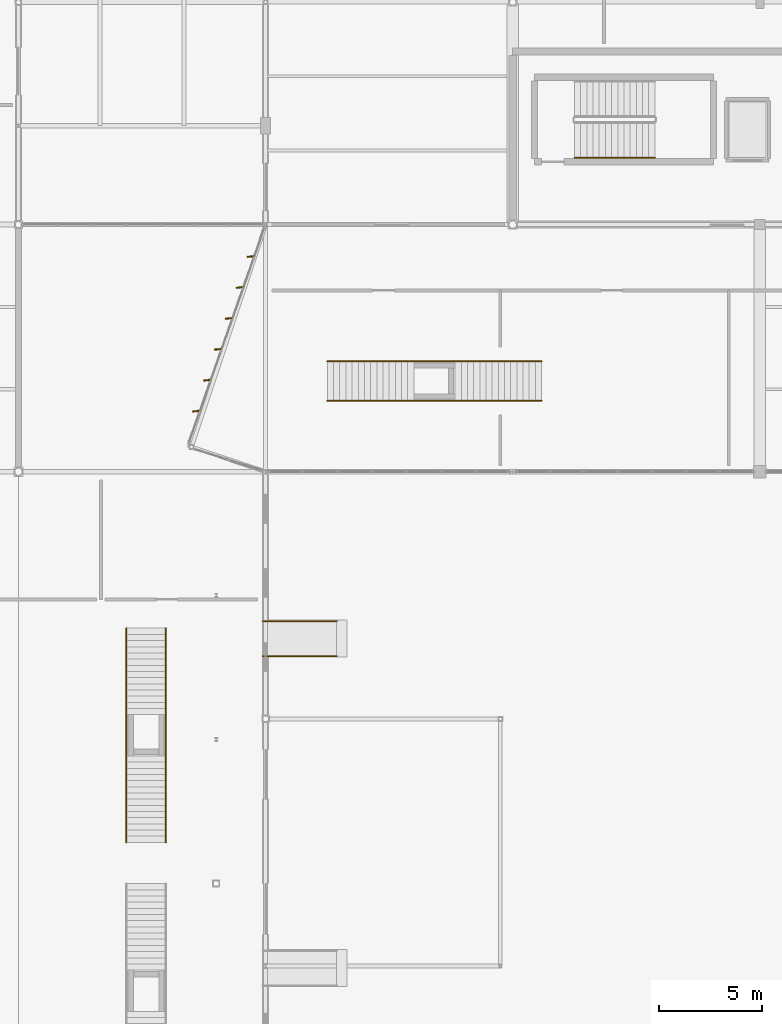
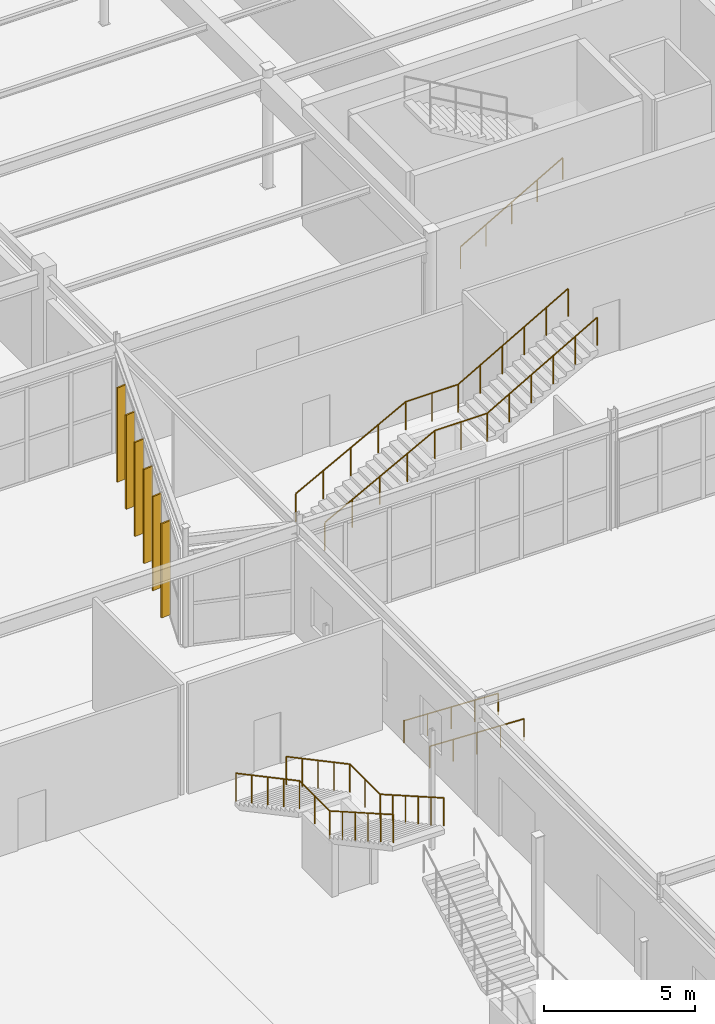
# One storey, part 192 of 199: 7 railings, 6 shading devices.
"""IFC4 building model written with IfcOpenShell, lengths in metres."""

import ifcopenshell
import ifcopenshell.guid

model = None  # the IFC model being written
_history = None  # IfcOwnerHistory: only IFC2X3 demands one
_inside = {}  # id of a spatial element -> (the spatial element, [elements in it])
_under = {}  # id of a project, library or spatial element -> (it, [spatial elements below it])
_declared = {}  # id of a project -> (the project, [libraries it declares])
_typed = {}  # id of a type object -> (the type object, [elements of that type])
_made_of = {}  # id of a material, layer set ... -> (it, [elements and type objects made of it])


def new_model(schema):
    """Start an empty IFC model of exactly this schema.

    Asked for "IFC4X3", IfcOpenShell would pick the latest addendum, in which some entities
    have other attributes; the version numbers below select the first issue.
    IFC2X3 requires an IfcOwnerHistory on every rooted entity: one is made here for all.
    """
    global model, _history
    if schema == "IFC4X3":
        model = ifcopenshell.file(schema_version=(4, 3, 0, 0))
    else:
        model = ifcopenshell.file(schema=schema)
    _inside.clear()
    _under.clear()
    _declared.clear()
    _typed.clear()
    _made_of.clear()
    _history = None
    if model.schema == "IFC2X3":
        org = make("IfcOrganization", Name="unknown")
        user = make(
            "IfcPersonAndOrganization",
            ThePerson=make("IfcPerson", FamilyName="unknown"),
            TheOrganization=org,
        )
        app = make(
            "IfcApplication",
            ApplicationDeveloper=org,
            Version="unknown",
            ApplicationFullName="unknown",
            ApplicationIdentifier="unknown",
        )
        _history = make(
            "IfcOwnerHistory",
            OwningUser=user,
            OwningApplication=app,
            ChangeAction="ADDED",
            CreationDate=0,
        )
    return model


def make(cls, **values):
    """One entity of the class cls with the attributes given. An attribute that is None is left unset."""
    return model.create_entity(
        cls, **{name: value for name, value in values.items() if value is not None}
    )


def rooted(cls, **values):
    """An entity with a GlobalId (a new one), such as an element, a storey or a relation."""
    return make(cls, GlobalId=ifcopenshell.guid.new(), OwnerHistory=_history, **values)


def si_unit(unit_type, name, prefix=None):
    """IfcSIUnit, for example si_unit("LENGTHUNIT", "METRE", prefix="MILLI")."""
    return make("IfcSIUnit", UnitType=unit_type, Prefix=prefix, Name=name)


def assignment(units):
    """IfcUnitAssignment: the units of a project."""
    return None if units is None else make("IfcUnitAssignment", Units=units)


def point(xyz):
    """IfcCartesianPoint."""
    return None if xyz is None else make("IfcCartesianPoint", Coordinates=xyz)


def direction(xyz):
    """IfcDirection."""
    return None if xyz is None else make("IfcDirection", DirectionRatios=xyz)


def frame(location, z_axis=None, x_axis=None):
    """IfcAxis2Placement3D, a coordinate frame: its origin and axes. An axis left out is left unset."""
    return make(
        "IfcAxis2Placement3D",
        Location=point(location),
        Axis=direction(z_axis),
        RefDirection=direction(x_axis),
    )


def frame_2d(location, x_axis=None):
    """IfcAxis2Placement2D, a coordinate frame in the plane: its origin and x axis."""
    return make(
        "IfcAxis2Placement2D", Location=point(location), RefDirection=direction(x_axis)
    )


def origin():
    """The frame at (0, 0, 0) with its axes left unset."""
    return frame((0.0, 0.0, 0.0))


def origin_2d():
    """The frame at (0, 0) in the plane with its x axis left unset."""
    return frame_2d((0.0, 0.0))


def place(relative_to, where):
    """IfcLocalPlacement: puts the frame where relative to a parent placement (None: the world)."""
    return make(
        "IfcLocalPlacement", PlacementRelTo=relative_to, RelativePlacement=where
    )


def context(
    kind, dimensions, precision=None, world=None, true_north=None, identifier=None
):
    """IfcGeometricRepresentationContext, for example the 3D "Model" context."""
    return make(
        "IfcGeometricRepresentationContext",
        ContextIdentifier=identifier,
        ContextType=kind,
        CoordinateSpaceDimension=dimensions,
        Precision=precision,
        WorldCoordinateSystem=world,
        TrueNorth=true_north,
    )


def subcontext(parent, identifier, kind, view, scale=None):
    """IfcGeometricRepresentationSubContext, for example "Body" below "Model"."""
    return make(
        "IfcGeometricRepresentationSubContext",
        ContextIdentifier=identifier,
        ContextType=kind,
        ParentContext=parent,
        TargetScale=scale,
        TargetView=view,
    )


def project(units=None, contexts=None):
    """IfcProject with its units and contexts."""
    return rooted(
        "IfcProject",
        Name="project",
        RepresentationContexts=contexts,
        UnitsInContext=assignment(units),
    )


def spatial(cls, under=None, at=None, **own):
    """A site, building, storey or space (cls), placed at a placement, below another one or the project."""
    s = rooted(cls, ObjectPlacement=at, **own)
    if under is not None:
        _under.setdefault(under.id(), (under, []))[1].append(s)
    return s


def profile(cls, at=None, kind="AREA", **sizes):
    """A parametric profile (cls). Its sizes go by their IFC names, for example OverallWidth=200.0."""
    return make(cls, ProfileType=kind, Position=at, **sizes)


def rectangle(**sizes):
    """IfcRectangleProfileDef."""
    return profile("IfcRectangleProfileDef", **sizes)


def circle(**sizes):
    """IfcCircleProfileDef."""
    return profile("IfcCircleProfileDef", **sizes)


def extrude(swept, where, along, depth):
    """IfcExtrudedAreaSolid: the profile swept, set in the frame where, extruded along a direction by depth."""
    return make(
        "IfcExtrudedAreaSolid",
        SweptArea=swept,
        Position=where,
        ExtrudedDirection=direction(along),
        Depth=depth,
    )


def shape(context_of_items, identifier, shape_type, items):
    """IfcShapeRepresentation: the items that make up one representation, for example the "Body"."""
    return make(
        "IfcShapeRepresentation",
        ContextOfItems=context_of_items,
        RepresentationIdentifier=identifier,
        RepresentationType=shape_type,
        Items=items,
    )


def material(Name=None, Category=None):
    """IfcMaterial."""
    return make("IfcMaterial", Name=Name, Category=Category)


def layer(
    of_material, thickness, ventilated=None, Name=None, Category=None, Priority=None
):
    """IfcMaterialLayer: one layer of a wall or slab, of a material (None: an air gap)."""
    return make(
        "IfcMaterialLayer",
        Material=of_material,
        LayerThickness=thickness,
        IsVentilated=ventilated,
        Name=Name,
        Category=Category,
        Priority=Priority,
    )


def layer_set(layers, Name=None):
    """IfcMaterialLayerSet."""
    return make("IfcMaterialLayerSet", MaterialLayers=layers, LayerSetName=Name)


def made_of(thing, what):
    """Note that an element or type object is made of a material, layer set ...; save() writes the relation."""
    if what is not None:
        _made_of.setdefault(what.id(), (what, []))[1].append(thing)
    return thing


def type_object(cls, material=None, **own):
    """A type object (cls), such as IfcWallType, which elements share."""
    return made_of(rooted(cls, **own), material)


def element(
    cls,
    number,
    at=None,
    inside=None,
    cuts=None,
    type_object=None,
    material=None,
    context=None,
    identifier="Body",
    shape_type=None,
    held_by="IfcProductDefinitionShape",
    body=None,
    shapes=None,
    **own,
):
    """One element of the class cls, such as IfcWall. Its Tag is "e" and its number.

    at: its placement. inside: the storey or other place that contains it. cuts: it is an
    opening in that element (IfcRelVoidsElement). A single representation is given by context,
    identifier, shape_type and body (its items); several are given by shapes. held_by: the class
    of the entity that holds the representations. save() writes the other relations.
    """
    e = rooted(cls, Tag="e%d" % number, ObjectPlacement=at, **own)
    if body is not None:
        shapes = [shape(context, identifier, shape_type, body)]
    if shapes is not None:
        e.Representation = make(held_by, Representations=shapes)
    if inside is not None:
        _inside.setdefault(inside.id(), (inside, []))[1].append(e)
    if cuts is not None:
        rooted(
            "IfcRelVoidsElement", RelatingBuildingElement=cuts, RelatedOpeningElement=e
        )
    if type_object is not None:
        _typed.setdefault(type_object.id(), (type_object, []))[1].append(e)
    return made_of(e, material)


def aggregate(whole, parts):
    """IfcRelAggregates: a whole, such as a stair, and the parts it consists of."""
    return rooted("IfcRelAggregates", RelatingObject=whole, RelatedObjects=parts)


def save(model, path):
    """Write the relations noted so far, then the file.

    IfcRelAggregates (storeys below a building ...), IfcRelContainedInSpatialStructure (elements
    in a storey), IfcRelDefinesByType, IfcRelAssociatesMaterial and IfcRelDeclares: one each for
    every whole, place, type object, material and project.
    """
    for whole, parts in _under.values():
        aggregate(whole, parts)
    for where, things in _inside.values():
        rooted(
            "IfcRelContainedInSpatialStructure",
            RelatedElements=things,
            RelatingStructure=where,
        )
    for kind, things in _typed.values():
        rooted("IfcRelDefinesByType", RelatedObjects=things, RelatingType=kind)
    for what, things in _made_of.values():
        rooted("IfcRelAssociatesMaterial", RelatedObjects=things, RelatingMaterial=what)
    for by, libraries in _declared.values():
        rooted("IfcRelDeclares", RelatingContext=by, RelatedDefinitions=libraries)
    model.write(path)


model = new_model("IFC4")

# Units and contexts
model_context = context("Model", 3, precision=1e-05, world=origin(), true_north=direction((0.0, 1.0)))
body_context = subcontext(model_context, "Body", "Model", "MODEL_VIEW")
ifc_project = project(units=[si_unit("LENGTHUNIT", "METRE"), si_unit("AREAUNIT", "SQUARE_METRE"), si_unit("VOLUMEUNIT", "CUBIC_METRE"), si_unit("PLANEANGLEUNIT", "RADIAN"), si_unit("MASSUNIT", "GRAM", prefix="KILO")], contexts=[model_context])

# Site, building, storey
site_placement = place(None, origin())
site = spatial("IfcSite", under=ifc_project, at=site_placement, CompositionType="ELEMENT")
building_placement = place(site_placement, origin())
building = spatial("IfcBuilding", under=site, at=building_placement, Name="Tarnwether General Hospital", CompositionType="ELEMENT")
storey_placement = place(building_placement, origin())
storey = spatial("IfcBuildingStorey", under=building, at=storey_placement, Name="L00", CompositionType="ELEMENT", Elevation=0.0)

# Railings
ifc_material_1 = material(Name="Anodised aluminium", Category="aluminium")
railing_type_1 = type_object("IfcRailingType", Name="RL-GRD-EXT", PredefinedType="GUARDRAIL", material=ifc_material_1)
railing_1_placement = place(storey_placement, frame((137.239990234375, 74.0, 0.159912109375)))
element("IfcRailing", 1, at=railing_1_placement, inside=storey, type_object=railing_type_1, Name="Feature Stair Guard ST-12 1", PredefinedType="GUARDRAIL", context=body_context, shape_type="SweptSolid", body=[
    extrude(circle(Radius=0.02392578125, at=origin_2d()), frame((0.0, 0.0, 1.1259765625), z_axis=(0.0, -0.882351521365, 0.470590897432), x_axis=(1.0, 0.0, 0.0)), (0.0, 0.0, 1.0), 4.760009765625),
    extrude(circle(Radius=0.02392578125, at=origin_2d()), frame((0.0, -4.199951171875, 3.36572265625), z_axis=(0.0, -1.0, 0.0), x_axis=(1.0, 0.0, 0.0)), (0.0, 0.0, 1.0), 2.0),
    extrude(circle(Radius=0.02392578125, at=origin_2d()), frame((0.0, -6.199951171875, 3.36572265625), z_axis=(0.0, -0.868227612608, 0.496166114024), x_axis=(1.0, 0.0, 0.0)), (0.0, 0.0, 1.0), 4.83740234375),
    extrude(circle(Radius=0.02099609375, at=origin_2d()), origin(), (0.0, 0.0, 1.0), 1.101806640625),
    extrude(circle(Radius=0.02099609375, at=origin_2d()), frame((0.0, -1.050048828125, 0.56005859375)), (0.0, 0.0, 1.0), 1.101806640625),
    extrude(circle(Radius=0.02099609375, at=origin_2d()), frame((0.0, -2.10009765625, 1.1201171875)), (0.0, 0.0, 1.0), 1.101806640625),
    extrude(circle(Radius=0.02099609375, at=origin_2d()), frame((0.0, -3.14990234375, 1.679931640625)), (0.0, 0.0, 1.0), 1.101806640625),
    extrude(circle(Radius=0.02099609375, at=origin_2d()), frame((0.0, -4.199951171875, 2.239990234375)), (0.0, 0.0, 1.0), 1.101806640625),
    extrude(circle(Radius=0.02099609375, at=origin_2d()), frame((0.0, -5.199951171875, 2.239990234375)), (0.0, 0.0, 1.0), 1.101806640625),
    extrude(circle(Radius=0.02099609375, at=origin_2d()), frame((0.0, -6.199951171875, 2.239990234375)), (0.0, 0.0, 1.0), 1.101806640625),
    extrude(circle(Radius=0.02099609375, at=origin_2d()), frame((0.0, -7.0400390625, 2.719970703125)), (0.0, 0.0, 1.0), 1.101806640625),
    extrude(circle(Radius=0.02099609375, at=origin_2d()), frame((0.0, -7.8798828125, 3.199951171875)), (0.0, 0.0, 1.0), 1.101806640625),
    extrude(circle(Radius=0.02099609375, at=origin_2d()), frame((0.0, -8.719970703125, 3.68017578125)), (0.0, 0.0, 1.0), 1.101806640625),
    extrude(circle(Radius=0.02099609375, at=origin_2d()), frame((0.0, -9.559814453125, 4.16015625)), (0.0, 0.0, 1.0), 1.101806640625),
    extrude(circle(Radius=0.02099609375, at=origin_2d()), frame((0.0, -10.39990234375, 4.64013671875)), (0.0, 0.0, 1.0), 1.101806640625),
])
railing_2_placement = place(storey_placement, frame((139.159912109375, 74.0, 0.159912109375)))
element("IfcRailing", 2, at=railing_2_placement, inside=storey, type_object=railing_type_1, Name="Feature Stair Guard ST-12 2", PredefinedType="GUARDRAIL", context=body_context, shape_type="SweptSolid", body=[
    extrude(circle(Radius=0.02392578125, at=origin_2d()), frame((0.0, 0.0, 1.1259765625), z_axis=(0.0, -0.882351521365, 0.470590897432), x_axis=(1.0, 0.0, 0.0)), (0.0, 0.0, 1.0), 4.760009765625),
    extrude(circle(Radius=0.02392578125, at=origin_2d()), frame((0.0, -4.199951171875, 3.36572265625), z_axis=(0.0, -1.0, 0.0), x_axis=(1.0, 0.0, 0.0)), (0.0, 0.0, 1.0), 2.0),
    extrude(circle(Radius=0.02392578125, at=origin_2d()), frame((0.0, -6.199951171875, 3.36572265625), z_axis=(0.0, -0.868227612608, 0.496166114024), x_axis=(1.0, 0.0, 0.0)), (0.0, 0.0, 1.0), 4.83740234375),
    extrude(circle(Radius=0.02099609375, at=origin_2d()), origin(), (0.0, 0.0, 1.0), 1.101806640625),
    extrude(circle(Radius=0.02099609375, at=origin_2d()), frame((0.0, -1.050048828125, 0.56005859375)), (0.0, 0.0, 1.0), 1.101806640625),
    extrude(circle(Radius=0.02099609375, at=origin_2d()), frame((0.0, -2.10009765625, 1.1201171875)), (0.0, 0.0, 1.0), 1.101806640625),
    extrude(circle(Radius=0.02099609375, at=origin_2d()), frame((0.0, -3.14990234375, 1.679931640625)), (0.0, 0.0, 1.0), 1.101806640625),
    extrude(circle(Radius=0.02099609375, at=origin_2d()), frame((0.0, -4.199951171875, 2.239990234375)), (0.0, 0.0, 1.0), 1.101806640625),
    extrude(circle(Radius=0.02099609375, at=origin_2d()), frame((0.0, -5.199951171875, 2.239990234375)), (0.0, 0.0, 1.0), 1.101806640625),
    extrude(circle(Radius=0.02099609375, at=origin_2d()), frame((0.0, -6.199951171875, 2.239990234375)), (0.0, 0.0, 1.0), 1.101806640625),
    extrude(circle(Radius=0.02099609375, at=origin_2d()), frame((0.0, -7.0400390625, 2.719970703125)), (0.0, 0.0, 1.0), 1.101806640625),
    extrude(circle(Radius=0.02099609375, at=origin_2d()), frame((0.0, -7.8798828125, 3.199951171875)), (0.0, 0.0, 1.0), 1.101806640625),
    extrude(circle(Radius=0.02099609375, at=origin_2d()), frame((0.0, -8.719970703125, 3.68017578125)), (0.0, 0.0, 1.0), 1.101806640625),
    extrude(circle(Radius=0.02099609375, at=origin_2d()), frame((0.0, -9.559814453125, 4.16015625)), (0.0, 0.0, 1.0), 1.101806640625),
    extrude(circle(Radius=0.02099609375, at=origin_2d()), frame((0.0, -10.39990234375, 4.64013671875)), (0.0, 0.0, 1.0), 1.101806640625),
])
railing_3_placement = place(storey_placement, frame((147.0, 85.0400390625, 0.159912109375)))
element("IfcRailing", 3, at=railing_3_placement, inside=storey, type_object=railing_type_1, Name="Feature Stair Guard ST-14 1", PredefinedType="GUARDRAIL", context=body_context, shape_type="SweptSolid", body=[
    extrude(circle(Radius=0.02392578125, at=origin_2d()), frame((0.0, 0.0, 1.1259765625), z_axis=(0.882351521365, 0.0, 0.470590897432), x_axis=(0.0, 1.0, 0.0)), (0.0, 0.0, 1.0), 4.760009765625),
    extrude(circle(Radius=0.02392578125, at=origin_2d()), frame((4.199951171875, 0.0, 3.36572265625), z_axis=(1.0, 0.0, 0.0), x_axis=(0.0, 1.0, 0.0)), (0.0, 0.0, 1.0), 2.0),
    extrude(circle(Radius=0.02392578125, at=origin_2d()), frame((6.199951171875, 0.0, 3.36572265625), z_axis=(0.868227612608, 0.0, 0.496166114024), x_axis=(0.0, 1.0, 0.0)), (0.0, 0.0, 1.0), 4.83740234375),
    extrude(circle(Radius=0.02099609375, at=origin_2d()), origin(), (0.0, 0.0, 1.0), 1.101806640625),
    extrude(circle(Radius=0.02099609375, at=origin_2d()), frame((1.050048828125, 0.0, 0.56005859375)), (0.0, 0.0, 1.0), 1.101806640625),
    extrude(circle(Radius=0.02099609375, at=origin_2d()), frame((2.10009765625, 0.0, 1.1201171875)), (0.0, 0.0, 1.0), 1.101806640625),
    extrude(circle(Radius=0.02099609375, at=origin_2d()), frame((3.14990234375, 0.0, 1.679931640625)), (0.0, 0.0, 1.0), 1.101806640625),
    extrude(circle(Radius=0.02099609375, at=origin_2d()), frame((4.199951171875, 0.0, 2.239990234375)), (0.0, 0.0, 1.0), 1.101806640625),
    extrude(circle(Radius=0.02099609375, at=origin_2d()), frame((5.199951171875, 0.0, 2.239990234375)), (0.0, 0.0, 1.0), 1.101806640625),
    extrude(circle(Radius=0.02099609375, at=origin_2d()), frame((6.199951171875, 0.0, 2.239990234375)), (0.0, 0.0, 1.0), 1.101806640625),
    extrude(circle(Radius=0.02099609375, at=origin_2d()), frame((7.0400390625, 0.0, 2.719970703125)), (0.0, 0.0, 1.0), 1.101806640625),
    extrude(circle(Radius=0.02099609375, at=origin_2d()), frame((7.8798828125, 0.0, 3.199951171875)), (0.0, 0.0, 1.0), 1.101806640625),
    extrude(circle(Radius=0.02099609375, at=origin_2d()), frame((8.719970703125, 0.0, 3.68017578125)), (0.0, 0.0, 1.0), 1.101806640625),
    extrude(circle(Radius=0.02099609375, at=origin_2d()), frame((9.559814453125, 0.0, 4.16015625)), (0.0, 0.0, 1.0), 1.101806640625),
    extrude(circle(Radius=0.02099609375, at=origin_2d()), frame((10.39990234375, 0.0, 4.64013671875)), (0.0, 0.0, 1.0), 1.101806640625),
])
railing_4_placement = place(storey_placement, frame((147.0, 86.9599609375, 0.159912109375)))
element("IfcRailing", 4, at=railing_4_placement, inside=storey, type_object=railing_type_1, Name="Feature Stair Guard ST-14 2", PredefinedType="GUARDRAIL", context=body_context, shape_type="SweptSolid", body=[
    extrude(circle(Radius=0.02392578125, at=origin_2d()), frame((0.0, 0.0, 1.1259765625), z_axis=(0.882351521365, 0.0, 0.470590897432), x_axis=(0.0, 1.0, 0.0)), (0.0, 0.0, 1.0), 4.760009765625),
    extrude(circle(Radius=0.02392578125, at=origin_2d()), frame((4.199951171875, 0.0, 3.36572265625), z_axis=(1.0, 0.0, 0.0), x_axis=(0.0, 1.0, 0.0)), (0.0, 0.0, 1.0), 2.0),
    extrude(circle(Radius=0.02392578125, at=origin_2d()), frame((6.199951171875, 0.0, 3.36572265625), z_axis=(0.868227612608, 0.0, 0.496166114024), x_axis=(0.0, 1.0, 0.0)), (0.0, 0.0, 1.0), 4.83740234375),
    extrude(circle(Radius=0.02099609375, at=origin_2d()), origin(), (0.0, 0.0, 1.0), 1.101806640625),
    extrude(circle(Radius=0.02099609375, at=origin_2d()), frame((1.050048828125, 0.0, 0.56005859375)), (0.0, 0.0, 1.0), 1.101806640625),
    extrude(circle(Radius=0.02099609375, at=origin_2d()), frame((2.10009765625, 0.0, 1.1201171875)), (0.0, 0.0, 1.0), 1.101806640625),
    extrude(circle(Radius=0.02099609375, at=origin_2d()), frame((3.14990234375, 0.0, 1.679931640625)), (0.0, 0.0, 1.0), 1.101806640625),
    extrude(circle(Radius=0.02099609375, at=origin_2d()), frame((4.199951171875, 0.0, 2.239990234375)), (0.0, 0.0, 1.0), 1.101806640625),
    extrude(circle(Radius=0.02099609375, at=origin_2d()), frame((5.199951171875, 0.0, 2.239990234375)), (0.0, 0.0, 1.0), 1.101806640625),
    extrude(circle(Radius=0.02099609375, at=origin_2d()), frame((6.199951171875, 0.0, 2.239990234375)), (0.0, 0.0, 1.0), 1.101806640625),
    extrude(circle(Radius=0.02099609375, at=origin_2d()), frame((7.0400390625, 0.0, 2.719970703125)), (0.0, 0.0, 1.0), 1.101806640625),
    extrude(circle(Radius=0.02099609375, at=origin_2d()), frame((7.8798828125, 0.0, 3.199951171875)), (0.0, 0.0, 1.0), 1.101806640625),
    extrude(circle(Radius=0.02099609375, at=origin_2d()), frame((8.719970703125, 0.0, 3.68017578125)), (0.0, 0.0, 1.0), 1.101806640625),
    extrude(circle(Radius=0.02099609375, at=origin_2d()), frame((9.559814453125, 0.0, 4.16015625)), (0.0, 0.0, 1.0), 1.101806640625),
    extrude(circle(Radius=0.02099609375, at=origin_2d()), frame((10.39990234375, 0.0, 4.64013671875)), (0.0, 0.0, 1.0), 1.101806640625),
])
ifc_material_2 = material(Name="Anodised aluminium", Category="aluminium")
railing_type_2 = type_object("IfcRailingType", Name="RL-HND-INT", PredefinedType="HANDRAIL", material=ifc_material_2)
railing_5_placement = place(storey_placement, frame((159.0, 96.85009765625, 0.17138671875)))
element("IfcRailing", 5, at=railing_5_placement, inside=storey, type_object=railing_type_2, Name="L00 ST-06 stair handrail 1", PredefinedType="HANDRAIL", context=body_context, shape_type="SweptSolid", body=[
    extrude(circle(Radius=0.02392578125, at=origin_2d()), frame((0.0, 0.0, 0.8759765625), z_axis=(0.868243142124, 0.0, 0.496138938357), x_axis=(0.0, 1.0, 0.0)), (0.0, 0.0, 1.0), 4.49169921875),
    extrude(circle(Radius=0.02099609375, at=origin_2d()), origin(), (0.0, 0.0, 1.0), 0.851806640625),
    extrude(circle(Radius=0.02099609375, at=origin_2d()), frame((0.97509765625, 0.0, 0.55712890625)), (0.0, 0.0, 1.0), 0.851806640625),
    extrude(circle(Radius=0.02099609375, at=origin_2d()), frame((1.949951171875, 0.0, 1.1142578125)), (0.0, 0.0, 1.0), 0.851806640625),
    extrude(circle(Radius=0.02099609375, at=origin_2d()), frame((2.9248046875, 0.0, 1.67138671875)), (0.0, 0.0, 1.0), 0.851806640625),
    extrude(circle(Radius=0.02099609375, at=origin_2d()), frame((3.89990234375, 0.0, 2.228515625)), (0.0, 0.0, 1.0), 0.851806640625),
])
for number, where, name in (
    (6, (147.449951171875, 74.35009765625, -0.14990234375), "Ramp Handrail RMP-04"),
    (7, (147.449951171875, 72.64990234375, -0.14990234375), "Ramp Handrail RMP-04"),
):
    element("IfcRailing", number, at=place(storey_placement, frame(where)), inside=storey, type_object=railing_type_2, Name=name, PredefinedType="HANDRAIL", context=body_context, shape_type="SweptSolid", body=[
        extrude(circle(Radius=0.02392578125, at=origin_2d()), frame((0.0, 0.0, 0.8759765625), z_axis=(-0.999134129699, 0.0, 0.041605178409), x_axis=(0.0, -1.0, 0.0)), (0.0, 0.0, 1.0), 3.60302734375),
        extrude(circle(Radius=0.02099609375, at=origin_2d()), origin(), (0.0, 0.0, 1.0), 0.851806640625),
        extrude(circle(Radius=0.02099609375, at=origin_2d()), frame((-0.89990234375, 0.0, 0.03759765625)), (0.0, 0.0, 1.0), 0.851806640625),
        extrude(circle(Radius=0.02099609375, at=origin_2d()), frame((-1.7998046875, 0.0, 0.074951171875)), (0.0, 0.0, 1.0), 0.851806640625),
        extrude(circle(Radius=0.02099609375, at=origin_2d()), frame((-2.699951171875, 0.0, 0.1123046875)), (0.0, 0.0, 1.0), 0.851806640625),
        extrude(circle(Radius=0.02099609375, at=origin_2d()), frame((-3.599853515625, 0.0, 0.14990234375)), (0.0, 0.0, 1.0), 0.851806640625),
    ])

# Shading devices
ifc_material_3 = material(Name="Champagne-bronze anodised aluminium", Category="aluminium")
ifc_layer = layer(ifc_material_3, 0.06005859375)
ifc_layer_set = layer_set([ifc_layer], Name="Champagne-bronze anodised aluminium")
shading_device_type = type_object("IfcShadingDeviceType", Name="SH-FIN-BRZ", PredefinedType="USERDEFINED", material=ifc_layer_set)
for number, where, z_axis, x_axis, name in (
    (8, (140.64306640625, 84.541015625, 0.0498046875), (0.0, 0.0, 1.0), (-0.097930293706, 0.995193276492, 0.0), "Champagne-Bronze Brise-Soleil Fin 0118"),
    (9, (141.1708984375, 86.04296875, 0.0498046875), (0.0, 0.0, 1.0), (-0.097930293706, 0.995193276492, 0.0), "Champagne-Bronze Brise-Soleil Fin 0119"),
    (10, (141.699951171875, 87.5439453125, 0.0498046875), (0.0, 0.0, 1.0), (-0.097930293706, 0.995193276492, 0.0), "Champagne-Bronze Brise-Soleil Fin 0120"),
    (11, (142.22802734375, 89.044921875, 0.0498046875), (0.0, 0.0, 1.0), (-0.097930293706, 0.995193276492, 0.0), "Champagne-Bronze Brise-Soleil Fin 0121"),
    (12, (142.756103515625, 90.547119140625, 0.0498046875), (0.0, 0.0, 1.0), (-0.097930293706, 0.995193276492, 0.0), "Champagne-Bronze Brise-Soleil Fin 0122"),
    (13, (143.283935546875, 92.048095703125, 0.0498046875), (0.0, 0.0, 1.0), (-0.097930293706, 0.995193276492, 0.0), "Champagne-Bronze Brise-Soleil Fin 0123"),
):
    element("IfcShadingDevice", number, at=place(storey_placement, frame(where, z_axis=z_axis, x_axis=x_axis)), inside=storey, type_object=shading_device_type, Name=name, ObjectType="SOLAR FIN", PredefinedType="USERDEFINED", context=body_context, shape_type="SweptSolid", body=[
        extrude(rectangle(XDim=0.06005859375, YDim=0.360107421875, at=origin_2d()), origin(), (0.0, 0.0, 1.0), 3.797119140625),
    ])

save(model, "model.ifc")
